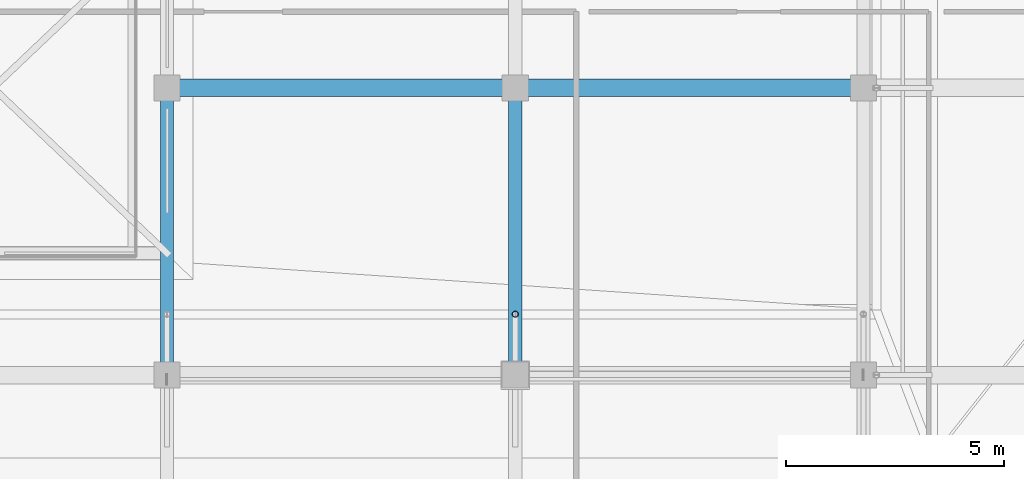
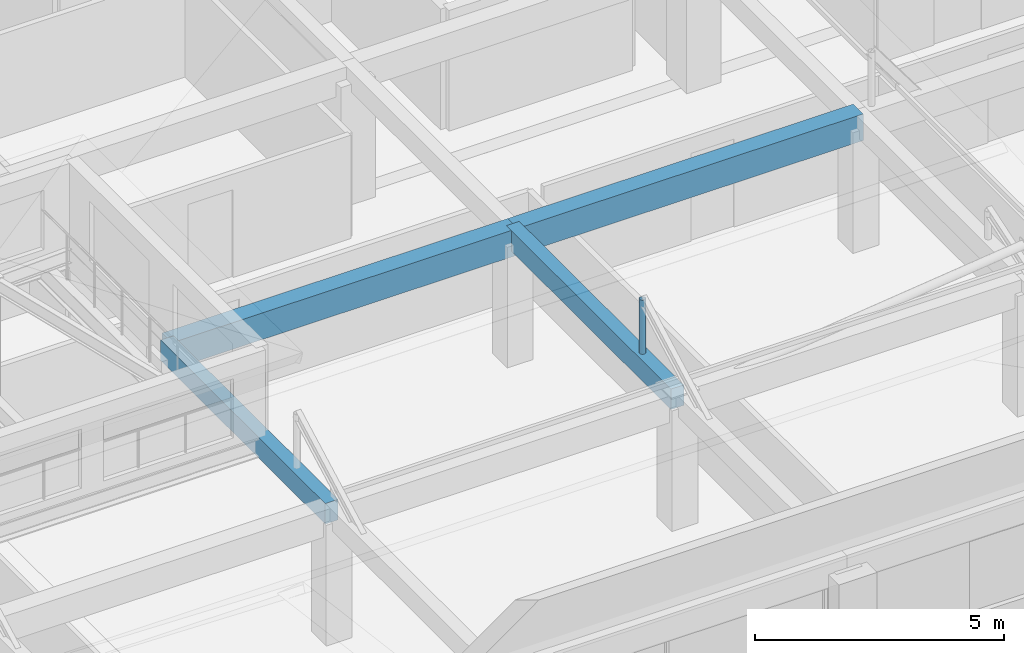
# One storey, part 14 of 39: 4 beams, 1 member.
"""IFC4 building model written with IfcOpenShell, lengths in metres."""

from ifc_helpers import new_model, si_unit, direction, frame, origin, origin_2d, place, context, subcontext, project, spatial, rectangle, hollow_circle, extrude, material, material_profile, profile_set, type_object, element, save


model = new_model("IFC4")

# Units and contexts
model_context = context("Model", 3, precision=1e-05, world=origin(), true_north=direction((0.0, 1.0)))
body_context = subcontext(model_context, "Body", "Model", "MODEL_VIEW")
ifc_project = project(units=[si_unit("LENGTHUNIT", "METRE"), si_unit("AREAUNIT", "SQUARE_METRE"), si_unit("VOLUMEUNIT", "CUBIC_METRE"), si_unit("PLANEANGLEUNIT", "RADIAN"), si_unit("MASSUNIT", "GRAM", prefix="KILO")], contexts=[model_context])

# Site, building, storey
site_placement = place(None, origin())
site = spatial("IfcSite", under=ifc_project, at=site_placement, CompositionType="ELEMENT")
building_placement = place(site_placement, origin())
building = spatial("IfcBuilding", under=site, at=building_placement, Name="Akrevak Sports Hall", CompositionType="ELEMENT")
storey_placement = place(building_placement, frame((0.0, 0.0, 66.550048828125)))
storey = spatial("IfcBuildingStorey", under=building, at=storey_placement, Name="L17", CompositionType="ELEMENT", Elevation=66.550048828125)

# Beams
ifc_material_1 = material(Name="Concrete C40/50", Category="concrete")
ifc_material_profile_1 = material_profile(ifc_material_1, rectangle(XDim=0.300048828125, YDim=0.5, at=origin_2d()), Name="BM 300x500", Category="concrete")
ifc_profile_set_1 = profile_set([ifc_material_profile_1], Name="Concrete C40/50")
beam_type_1 = type_object("IfcBeamType", Name="STR-BM-RC300x500", PredefinedType="BEAM", material=ifc_profile_set_1)
for number, where, z_axis, x_axis, name in (
    (1, (84.0, 42.0, 3.0), (0.0, 1.0, 0.0), (-1.0, 0.0, 0.0), "Girder 12/G-H (ROOF)"),
    (2, (92.0, 42.0, 3.0), (0.0, 1.0, 0.0), (-1.0, 0.0, 0.0), "Girder 13/G-H (ROOF)"),
):
    element("IfcBeam", number, at=place(storey_placement, frame(where, z_axis=z_axis, x_axis=x_axis)), inside=storey, type_object=beam_type_1, Name=name, PredefinedType="BEAM", context=body_context, shape_type="SweptSolid", body=[
        extrude(rectangle(XDim=0.300048828125, YDim=0.5, at=origin_2d()), origin(), (0.0, 0.0, 1.0), 6.60009765625),
    ])
ifc_material_profile_2 = material_profile(ifc_material_1, rectangle(XDim=0.39990234375, YDim=0.64990234375, at=origin_2d()), Name="BM 400x650", Category="concrete")
ifc_profile_set_2 = profile_set([ifc_material_profile_2], Name="Concrete C40/50")
beam_type_2 = type_object("IfcBeamType", Name="STR-BM-RC400x650", PredefinedType="BEAM", material=ifc_profile_set_2)
for number, where, z_axis, x_axis, name in (
    (3, (84.0, 48.60009765625, 2.925048828125), (1.0, 0.0, 0.0), (0.0, 1.0, 0.0), "Girder H/12-13 (ROOF)"),
    (4, (92.0, 48.60009765625, 2.925048828125), (1.0, 0.0, 0.0), (0.0, 1.0, 0.0), "Girder H/13-14 (ROOF)"),
):
    element("IfcBeam", number, at=place(storey_placement, frame(where, z_axis=z_axis, x_axis=x_axis)), inside=storey, type_object=beam_type_2, Name=name, PredefinedType="BEAM", context=body_context, shape_type="SweptSolid", body=[
        extrude(rectangle(XDim=0.39990234375, YDim=0.64990234375, at=origin_2d()), origin(), (0.0, 0.0, 1.0), 8.0),
    ])

# Member
ifc_material_2 = material(Name="Steel S355", Category="steel")
ifc_material_profile_3 = material_profile(ifc_material_2, hollow_circle(Radius=0.06982421875, WallThickness=0.008056640625, at=origin_2d()), Name="CHS 139.7x8", Category="steel")
ifc_profile_set_3 = profile_set([ifc_material_profile_3], Name="Steel S355")
member_type = type_object("IfcMemberType", Name="STR-MEM-BRACE-CHS139", PredefinedType="BRACE", material=ifc_profile_set_3)
member_placement = place(storey_placement, frame((92.0, 43.39990234375, 2.949951171875), z_axis=(0.0, 0.0, 1.0), x_axis=(1.0, 0.0, 0.0)))
element("IfcMember", 5, at=member_placement, inside=storey, type_object=member_type, Name="Mansard Knee Post MANS-E-S-92", PredefinedType="BRACE", context=body_context, shape_type="SweptSolid", body=[
    extrude(hollow_circle(Radius=0.06982421875, WallThickness=0.008056640625, at=origin_2d()), origin(), (0.0, 0.0, 1.0), 1.6201171875),
])

save(model, "model.ifc")
